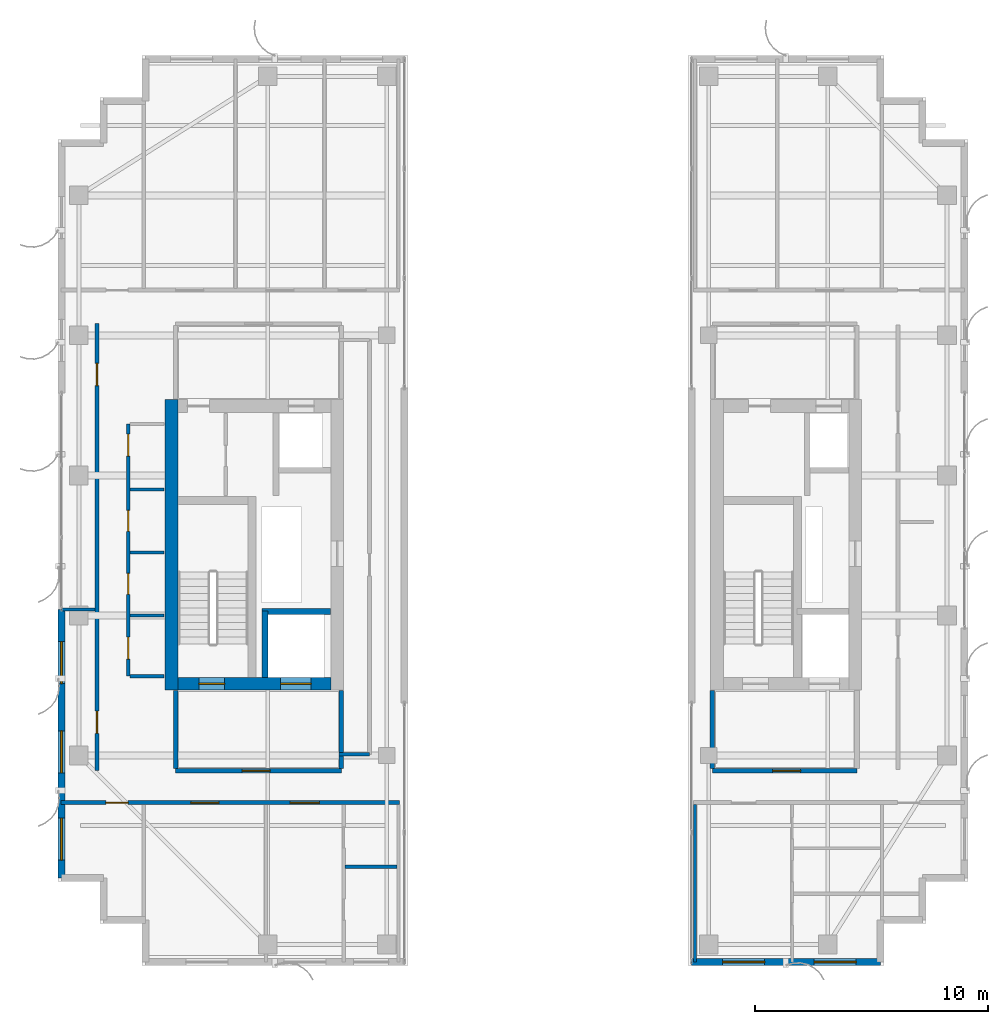
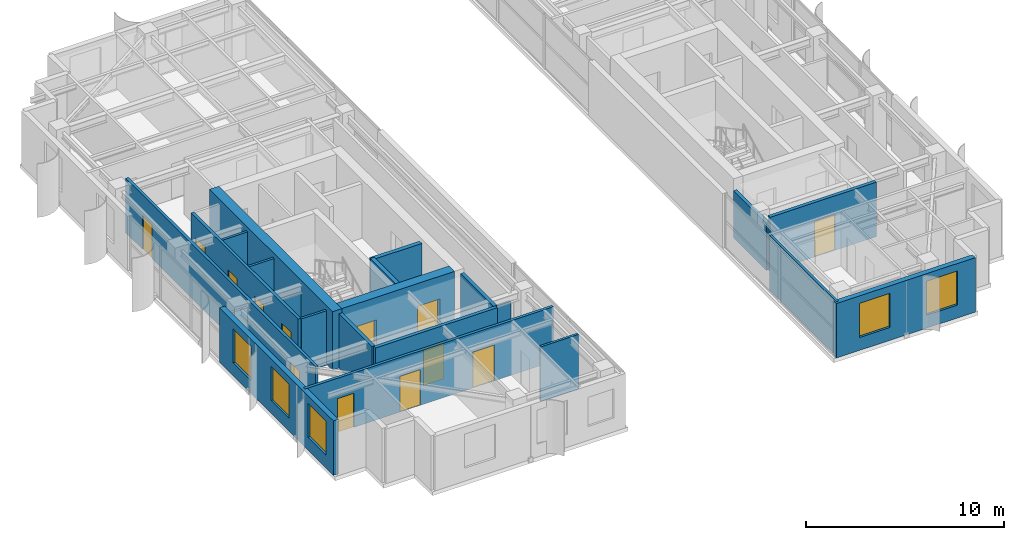
# One storey, part 18 of 24: 22 walls, 13 doors, 5 windows, 18 openings.
"""IFC4 building model written with IfcOpenShell, lengths in metres."""

from ifc_helpers import new_model, si_unit, direction, frame, frame_2d, origin, place, context, subcontext, project, spatial, rectangle, extrude, source, transform, mapped, material, layer, layer_set, type_object, element, fill, save


model = new_model("IFC4")

# Units and contexts
model_context = context("Model", 3, precision=1e-05, world=origin(), true_north=direction((0.0, 1.0)))
body_context = subcontext(model_context, "Body", "Model", "MODEL_VIEW")
ifc_project = project(units=[si_unit("LENGTHUNIT", "METRE"), si_unit("AREAUNIT", "SQUARE_METRE"), si_unit("VOLUMEUNIT", "CUBIC_METRE"), si_unit("PLANEANGLEUNIT", "RADIAN"), si_unit("MASSUNIT", "GRAM", prefix="KILO")], contexts=[model_context])

# Site, building, storey
site_placement = place(None, origin())
site = spatial("IfcSite", under=ifc_project, at=site_placement, CompositionType="ELEMENT")
building_placement = place(site_placement, origin())
building = spatial("IfcBuilding", under=site, at=building_placement, Name="Khoralis Quay Care Tower", CompositionType="ELEMENT")
storey_placement = place(building_placement, frame((0.0, 0.0, 238.5)))
storey = spatial("IfcBuildingStorey", under=building, at=storey_placement, Name="L62", CompositionType="ELEMENT", Elevation=238.5)

# Wall, opening, door
ifc_material_1 = material(Name="Gypsum plasterboard on acoustic metal stud")
ifc_layer_1 = layer(ifc_material_1, 0.199951171875)
ifc_layer_set_1 = layer_set([ifc_layer_1], Name="Gypsum plasterboard on acoustic metal stud")
wall_type_1 = type_object("IfcWallType", Name="WL-COMP-200", PredefinedType="PARTITIONING", material=ifc_layer_set_1)
wall_1_placement = place(storey_placement, frame((8.050048828125, 11.35009765625, 0.0), z_axis=(0.0, 0.0, 1.0), x_axis=(1.0, 0.0, 0.0)))
wall_1 = element("IfcWall", 1, at=wall_1_placement, inside=storey, type_object=wall_type_1, Name="L62 West Firefighting Lobby South Wall", PredefinedType="PARTITIONING", context=body_context, shape_type="SweptSolid", body=[
    extrude(rectangle(XDim=7.099853515625, YDim=0.199951171875, at=frame_2d((3.5498046875, 0.0))), origin(), (0.0, 0.0, 1.0), 3.360107421875),
])
opening_1_placement = place(wall_1_placement, frame((2.846435546875, 0.0, 0.0)))
opening_1 = element("IfcOpeningElement", 2, at=opening_1_placement, cuts=wall_1, Name="Opening FD1", PredefinedType="OPENING", context=body_context, shape_type="SweptSolid", body=[
    extrude(rectangle(XDim=1.199951171875, YDim=2.199951171875, at=frame_2d((0.60009765625, 1.10009765625))), frame((0.0, 0.10986328125, 0.0), z_axis=(0.0, -1.0, 0.0), x_axis=(1.0, 0.0, 0.0)), (0.0, 0.0, 1.0), 0.219970703125),
])
ifc_material_2 = material(Name="Fire-rated painted steel", Category="steel")
door_type_1 = type_object("IfcDoorType", Name="DR-FFL-1200X2200", OperationType="NOTDEFINED", PredefinedType="DOOR", material=ifc_material_2)
shared_shape_1 = source(origin(), body_context, "Body", "SweptSolid", [
    extrude(rectangle(XDim=1.199951171875, YDim=2.199951171875, at=frame_2d((0.60009765625, 1.10009765625))), frame((0.0, 0.02490234375, 0.0), z_axis=(0.0, -1.0, 0.0), x_axis=(1.0, 0.0, 0.0)), (0.0, 0.0, 1.0), 0.050048828125),
])
door_1_placement = place(opening_1_placement, origin())
door_1 = element("IfcDoor", 3, at=door_1_placement, inside=storey, type_object=door_type_1, Name="L62 West Firefighting Lobby Fire Door", OperationType="SINGLE_SWING_RIGHT", OverallHeight=2.199951171875, OverallWidth=1.199951171875, PredefinedType="DOOR", context=body_context, shape_type="MappedRepresentation", body=[
    mapped(shared_shape_1, transform((0.0, 0.0, 0.0), scale=1.0)),
])
fill(opening_1, door_1)

# Walls
for number, where, z_axis, x_axis, name in (
    (4, (8.050048828125, 11.445068359375, 0.0), (0.0, 0.0, 1.0), (0.0, 1.0, 0.0), "L62 West Firefighting Lobby West Wall"),
    (5, (15.14990234375, 11.445068359375, 0.0), (0.0, 0.0, 1.0), (0.0, 1.0, 0.0), "L62 West Firefighting Lobby East Wall"),
):
    element("IfcWall", number, at=place(storey_placement, frame(where, z_axis=z_axis, x_axis=x_axis)), inside=storey, type_object=wall_type_1, Name=name, PredefinedType="PARTITIONING", context=body_context, shape_type="SweptSolid", body=[
        extrude(rectangle(XDim=3.3349609375, YDim=0.199951171875, at=frame_2d((1.66748046875, 0.0))), origin(), (0.0, 0.0, 1.0), 3.360107421875),
    ])

# Wall, opening, door
wall_2_placement = place(storey_placement, frame((31.050048828125, 11.35009765625, 0.0), z_axis=(0.0, 0.0, 1.0), x_axis=(1.0, 0.0, 0.0)))
wall_2 = element("IfcWall", 6, at=wall_2_placement, inside=storey, type_object=wall_type_1, Name="L62 East Firefighting Lobby South Wall", PredefinedType="PARTITIONING", context=body_context, shape_type="SweptSolid", body=[
    extrude(rectangle(XDim=6.199951171875, YDim=0.199951171875, at=frame_2d((3.10009765625, 0.0))), origin(), (0.0, 0.0, 1.0), 3.360107421875),
])
opening_2_placement = place(wall_2_placement, frame((2.585693359375, 0.0, 0.0)))
opening_2 = element("IfcOpeningElement", 7, at=opening_2_placement, cuts=wall_2, Name="Opening FD1", PredefinedType="OPENING", context=body_context, shape_type="SweptSolid", body=[
    extrude(rectangle(XDim=1.199951171875, YDim=2.199951171875, at=frame_2d((0.60009765625, 1.10009765625))), frame((0.0, 0.10986328125, 0.0), z_axis=(0.0, -1.0, 0.0), x_axis=(1.0, 0.0, 0.0)), (0.0, 0.0, 1.0), 0.219970703125),
])
door_2_placement = place(opening_2_placement, origin())
door_2 = element("IfcDoor", 8, at=door_2_placement, inside=storey, type_object=door_type_1, Name="L62 East Firefighting Lobby Fire Door", OperationType="SINGLE_SWING_LEFT", OverallHeight=2.199951171875, OverallWidth=1.199951171875, PredefinedType="DOOR", context=body_context, shape_type="MappedRepresentation", body=[
    mapped(shared_shape_1, transform((0.0, 0.0, 0.0), scale=1.0)),
])
fill(opening_2, door_2)

# Walls
wall_3_placement = place(storey_placement, frame((31.050048828125, 11.445068359375, 0.0), z_axis=(0.0, 0.0, 1.0), x_axis=(0.0, 1.0, 0.0)))
element("IfcWall", 9, at=wall_3_placement, inside=storey, type_object=wall_type_1, Name="L62 East Firefighting Lobby West Wall", PredefinedType="PARTITIONING", context=body_context, shape_type="SweptSolid", body=[
    extrude(rectangle(XDim=3.3349609375, YDim=0.199951171875, at=frame_2d((1.66748046875, 0.0))), origin(), (0.0, 0.0, 1.0), 2.90087890625),
])
ifc_material_3 = material(Name="Concrete C65/80", Category="concrete")
ifc_layer_2 = layer(ifc_material_3, 0.550048828125)
ifc_layer_set_2 = layer_set([ifc_layer_2], Name="Concrete C65/80")
wall_type_2 = type_object("IfcWallType", Name="WL-CORE-550", PredefinedType="SHEAR", material=ifc_layer_set_2)
wall_4_placement = place(storey_placement, frame((7.875, 14.800048828125, 0.0), z_axis=(0.0, 0.0, 1.0), x_axis=(0.0, 1.0, 0.0)))
element("IfcWall", 10, at=wall_4_placement, inside=storey, type_object=wall_type_2, Name="L62 WCORE West Shear Wall", PredefinedType="SHEAR", context=body_context, shape_type="SweptSolid", body=[
    extrude(rectangle(XDim=12.449951171875, YDim=0.550048828125, at=frame_2d((6.22509765625, 0.0))), origin(), (0.0, 0.0, 1.0), 3.60009765625),
])

# Wall, openings, doors
wall_5_placement = place(storey_placement, frame((8.14990234375, 15.074951171875, 0.0), z_axis=(0.0, 0.0, 1.0), x_axis=(1.0, 0.0, 0.0)))
wall_5 = element("IfcWall", 11, at=wall_5_placement, inside=storey, type_object=wall_type_2, Name="L62 WCORE South Shear Wall", PredefinedType="SHEAR", context=body_context, shape_type="SweptSolid", body=[
    extrude(rectangle(XDim=6.550048828125, YDim=0.550048828125, at=frame_2d((3.27490234375, 0.0))), origin(), (0.0, 0.0, 1.0), 3.60009765625),
])
opening_3_placement = place(wall_5_placement, frame((0.89990234375, 0.0, 0.0)))
opening_3 = element("IfcOpeningElement", 12, at=opening_3_placement, cuts=wall_5, Name="Opening SD1", PredefinedType="OPENING", context=body_context, shape_type="SweptSolid", body=[
    extrude(rectangle(XDim=1.10009765625, YDim=2.199951171875, at=frame_2d((0.550048828125, 1.10009765625))), frame((0.0, 0.28515625, 0.0), z_axis=(0.0, -1.0, 0.0), x_axis=(1.0, 0.0, 0.0)), (0.0, 0.0, 1.0), 0.570068359375),
])
opening_4_placement = place(wall_5_placement, frame((4.39990234375, 0.0, 0.0)))
opening_4 = element("IfcOpeningElement", 13, at=opening_4_placement, cuts=wall_5, Name="Opening LD2", PredefinedType="OPENING", context=body_context, shape_type="SweptSolid", body=[
    extrude(rectangle(XDim=1.300048828125, YDim=2.199951171875, at=frame_2d((0.64990234375, 1.10009765625))), frame((0.0, 0.28515625, 0.0), z_axis=(0.0, -1.0, 0.0), x_axis=(1.0, 0.0, 0.0)), (0.0, 0.0, 1.0), 0.570068359375),
])
door_type_2 = type_object("IfcDoorType", Name="DR-STAIR-1100X2200", OperationType="NOTDEFINED", PredefinedType="DOOR", material=ifc_material_2)
shared_shape_2 = source(origin(), body_context, "Body", "SweptSolid", [
    extrude(rectangle(XDim=1.10009765625, YDim=2.199951171875, at=frame_2d((0.550048828125, 1.10009765625))), frame((0.0, 0.02490234375, 0.0), z_axis=(0.0, -1.0, 0.0), x_axis=(1.0, 0.0, 0.0)), (0.0, 0.0, 1.0), 0.050048828125),
])
door_3_placement = place(opening_3_placement, origin())
door_3 = element("IfcDoor", 14, at=door_3_placement, inside=storey, type_object=door_type_2, Name="L62 Stair ST-T1 Fire Door", OperationType="SINGLE_SWING_RIGHT", OverallHeight=2.199951171875, OverallWidth=1.10009765625, PredefinedType="DOOR", context=body_context, shape_type="MappedRepresentation", body=[
    mapped(shared_shape_2, transform((0.0, 0.0, 0.0), scale=1.0)),
])
fill(opening_3, door_3)
ifc_material_4 = material(Name="Brushed stainless steel", Category="steel")
door_type_3 = type_object("IfcDoorType", Name="DR-LIFT-1300X2200", OperationType="SLIDING_TO_RIGHT", PredefinedType="DOOR", material=ifc_material_4)
shared_shape_3 = source(origin(), body_context, "Body", "SweptSolid", [
    extrude(rectangle(XDim=1.300048828125, YDim=2.199951171875, at=frame_2d((0.64990234375, 1.10009765625))), frame((0.0, 0.02490234375, 0.0), z_axis=(0.0, -1.0, 0.0), x_axis=(1.0, 0.0, 0.0)), (0.0, 0.0, 1.0), 0.050048828125),
])
door_4_placement = place(opening_4_placement, origin())
door_4 = element("IfcDoor", 15, at=door_4_placement, inside=storey, type_object=door_type_3, Name="L62 Firefighting Lift FFL-1 Landing Door", OperationType="SLIDING_TO_RIGHT", OverallHeight=2.199951171875, OverallWidth=1.300048828125, PredefinedType="DOOR", context=body_context, shape_type="MappedRepresentation", body=[
    mapped(shared_shape_3, transform((0.0, 0.0, 0.0), scale=1.0)),
])
fill(opening_4, door_4)

ifc_layer_3 = layer(ifc_material_1, 0.1650390625)
ifc_layer_set_3 = layer_set([ifc_layer_3], Name="Gypsum plasterboard on acoustic metal stud")
wall_type_3 = type_object("IfcWallType", Name="WL-CORR-165", PredefinedType="PARTITIONING", material=ifc_layer_set_3)
wall_6_placement = place(storey_placement, frame((6.02001953125, 15.39990234375, 0.0), z_axis=(0.0, 0.0, 1.0), x_axis=(0.0, 1.0, 0.0)))
wall_6 = element("IfcWall", 16, at=wall_6_placement, inside=storey, type_object=wall_type_3, Name="L62 West Core Service Flank Wall", PredefinedType="PARTITIONING", context=body_context, shape_type="SweptSolid", body=[
    extrude(rectangle(XDim=10.800048828125, YDim=0.1650390625, at=frame_2d((5.39990234375, 0.0))), origin(), (0.0, 0.0, 1.0), 3.360107421875),
])
opening_5_placement = place(wall_6_placement, frame((0.72509765625, 0.0, 0.0)))
opening_5 = element("IfcOpeningElement", 17, at=opening_5_placement, cuts=wall_6, Name="Opening ID1", PredefinedType="OPENING", context=body_context, shape_type="SweptSolid", body=[
    extrude(rectangle(XDim=0.949951171875, YDim=2.10009765625, at=frame_2d((0.47509765625, 1.050048828125))), frame((0.0, 0.092529296875, 0.0), z_axis=(0.0, -1.0, 0.0), x_axis=(1.0, 0.0, 0.0)), (0.0, 0.0, 1.0), 0.18505859375),
])
opening_6_placement = place(wall_6_placement, frame((3.5, 0.0, 0.0)))
opening_6 = element("IfcOpeningElement", 18, at=opening_6_placement, cuts=wall_6, Name="Opening WD1", PredefinedType="OPENING", context=body_context, shape_type="SweptSolid", body=[
    extrude(rectangle(XDim=0.89990234375, YDim=2.10009765625, at=frame_2d((0.449951171875, 1.050048828125))), frame((0.0, 0.092529296875, 0.0), z_axis=(0.0, -1.0, 0.0), x_axis=(1.0, 0.0, 0.0)), (0.0, 0.0, 1.0), 0.18505859375),
])
opening_7_placement = place(wall_6_placement, frame((6.199951171875, 0.0, 0.0)))
opening_7 = element("IfcOpeningElement", 19, at=opening_7_placement, cuts=wall_6, Name="Opening WD1", PredefinedType="OPENING", context=body_context, shape_type="SweptSolid", body=[
    extrude(rectangle(XDim=0.89990234375, YDim=2.10009765625, at=frame_2d((0.449951171875, 1.050048828125))), frame((0.0, 0.092529296875, 0.0), z_axis=(0.0, -1.0, 0.0), x_axis=(1.0, 0.0, 0.0)), (0.0, 0.0, 1.0), 0.18505859375),
])
opening_8_placement = place(wall_6_placement, frame((9.425048828125, 0.0, 0.0)))
opening_8 = element("IfcOpeningElement", 20, at=opening_8_placement, cuts=wall_6, Name="Opening ID1", PredefinedType="OPENING", context=body_context, shape_type="SweptSolid", body=[
    extrude(rectangle(XDim=0.949951171875, YDim=2.10009765625, at=frame_2d((0.47509765625, 1.050048828125))), frame((0.0, 0.092529296875, 0.0), z_axis=(0.0, -1.0, 0.0), x_axis=(1.0, 0.0, 0.0)), (0.0, 0.0, 1.0), 0.18505859375),
])
ifc_material_5 = material(Name="Acoustic hardwood timber", Category="wood")
door_type_4 = type_object("IfcDoorType", Name="DR-BATH-900X2100", OperationType="NOTDEFINED", PredefinedType="DOOR", material=ifc_material_5)
shared_shape_4 = source(origin(), body_context, "Body", "SweptSolid", [
    extrude(rectangle(XDim=0.89990234375, YDim=2.10009765625, at=frame_2d((0.449951171875, 1.050048828125))), frame((0.0, 0.02490234375, 0.0), z_axis=(0.0, -1.0, 0.0), x_axis=(1.0, 0.0, 0.0)), (0.0, 0.0, 1.0), 0.050048828125),
])
door_5_placement = place(opening_6_placement, frame((0.89990234375, 0.0, 0.0), z_axis=(0.0, 0.0, 1.0), x_axis=(-1.0, 0.0, 0.0)))
door_5 = element("IfcDoor", 21, at=door_5_placement, inside=storey, type_object=door_type_4, Name="L62 Public Accessible WC Door", OperationType="SINGLE_SWING_RIGHT", OverallHeight=2.10009765625, OverallWidth=0.89990234375, PredefinedType="DOOR", context=body_context, shape_type="MappedRepresentation", body=[
    mapped(shared_shape_4, transform((0.0, 0.0, 0.0), scale=1.0)),
])
fill(opening_6, door_5)
door_6_placement = place(opening_7_placement, frame((0.89990234375, 0.0, 0.0), z_axis=(0.0, 0.0, 1.0), x_axis=(-1.0, 0.0, 0.0)))
door_6 = element("IfcDoor", 22, at=door_6_placement, inside=storey, type_object=door_type_4, Name="L62 Staff Accessible WC Door", OperationType="SINGLE_SWING_LEFT", OverallHeight=2.10009765625, OverallWidth=0.89990234375, PredefinedType="DOOR", context=body_context, shape_type="MappedRepresentation", body=[
    mapped(shared_shape_4, transform((0.0, 0.0, 0.0), scale=1.0)),
])
fill(opening_7, door_6)
door_type_5 = type_object("IfcDoorType", Name="DR-ROOM-950X2100", OperationType="NOTDEFINED", PredefinedType="DOOR", material=ifc_material_5)
shared_shape_5 = source(origin(), body_context, "Body", "SweptSolid", [
    extrude(rectangle(XDim=0.949951171875, YDim=2.10009765625, at=frame_2d((0.47509765625, 1.050048828125))), frame((0.0, 0.02490234375, 0.0), z_axis=(0.0, -1.0, 0.0), x_axis=(1.0, 0.0, 0.0)), (0.0, 0.0, 1.0), 0.050048828125),
])
door_7_placement = place(opening_5_placement, frame((0.949951171875, 0.0, 0.0), z_axis=(0.0, 0.0, 1.0), x_axis=(-1.0, 0.0, 0.0)))
door_7 = element("IfcDoor", 23, at=door_7_placement, inside=storey, type_object=door_type_5, Name="L62 Housekeeping Store Door", OperationType="SINGLE_SWING_LEFT", OverallHeight=2.10009765625, OverallWidth=0.949951171875, PredefinedType="DOOR", context=body_context, shape_type="MappedRepresentation", body=[
    mapped(shared_shape_5, transform((0.0, 0.0, 0.0), scale=1.0)),
])
fill(opening_5, door_7)
door_8_placement = place(opening_8_placement, frame((0.949951171875, 0.0, 0.0), z_axis=(0.0, 0.0, 1.0), x_axis=(-1.0, 0.0, 0.0)))
door_8 = element("IfcDoor", 24, at=door_8_placement, inside=storey, type_object=door_type_5, Name="L62 Telecom IDF Room Door", OperationType="SINGLE_SWING_RIGHT", OverallHeight=2.10009765625, OverallWidth=0.949951171875, PredefinedType="DOOR", context=body_context, shape_type="MappedRepresentation", body=[
    mapped(shared_shape_5, transform((0.0, 0.0, 0.0), scale=1.0)),
])
fill(opening_8, door_8)

wall_7_placement = place(storey_placement, frame((3.14501953125, 9.97998046875, 0.0), z_axis=(0.0, 0.0, 1.0), x_axis=(1.0, 0.0, 0.0)))
wall_7 = element("IfcWall", 25, at=wall_7_placement, inside=storey, type_object=wall_type_3, Name="L62 West Wing South Corridor Wall", PredefinedType="PARTITIONING", context=body_context, shape_type="SweptSolid", body=[
    extrude(rectangle(XDim=14.5048828125, YDim=0.1650390625, at=frame_2d((7.25244140625, 0.0))), origin(), (0.0, 0.0, 1.0), 3.360107421875),
])
opening_9_placement = place(wall_7_placement, frame((5.554931640625, 0.0, 0.0)))
opening_9 = element("IfcOpeningElement", 26, at=opening_9_placement, cuts=wall_7, Name="Opening FD1", PredefinedType="OPENING", context=body_context, shape_type="SweptSolid", body=[
    extrude(rectangle(XDim=1.199951171875, YDim=2.199951171875, at=frame_2d((0.60009765625, 1.10009765625))), frame((0.0, 0.092529296875, 0.0), z_axis=(0.0, -1.0, 0.0), x_axis=(1.0, 0.0, 0.0)), (0.0, 0.0, 1.0), 0.18505859375),
])
opening_10_placement = place(wall_7_placement, frame((9.81494140625, 0.0, 0.0)))
opening_10 = element("IfcOpeningElement", 27, at=opening_10_placement, cuts=wall_7, Name="Opening CD1", PredefinedType="OPENING", context=body_context, shape_type="SweptSolid", body=[
    extrude(rectangle(XDim=1.25, YDim=2.199951171875, at=frame_2d((0.625, 1.10009765625))), frame((0.0, 0.092529296875, 0.0), z_axis=(0.0, -1.0, 0.0), x_axis=(1.0, 0.0, 0.0)), (0.0, 0.0, 1.0), 0.18505859375),
])
opening_11_placement = place(wall_7_placement, frame((1.919921875, 0.0, 0.0)))
opening_11 = element("IfcOpeningElement", 28, at=opening_11_placement, cuts=wall_7, Name="Opening ID1", PredefinedType="OPENING", context=body_context, shape_type="SweptSolid", body=[
    extrude(rectangle(XDim=0.949951171875, YDim=2.10009765625, at=frame_2d((0.47509765625, 1.050048828125))), frame((0.0, 0.092529296875, 0.0), z_axis=(0.0, -1.0, 0.0), x_axis=(1.0, 0.0, 0.0)), (0.0, 0.0, 1.0), 0.18505859375),
])
door_9_placement = place(opening_9_placement, frame((1.199951171875, 0.0, 0.0), z_axis=(0.0, 0.0, 1.0), x_axis=(-1.0, 0.0, 0.0)))
door_9 = element("IfcDoor", 29, at=door_9_placement, inside=storey, type_object=door_type_1, Name="L62 Resident Communal Day Lounge Door", OperationType="DOUBLE_DOOR_SINGLE_SWING", OverallHeight=2.199951171875, OverallWidth=1.199951171875, PredefinedType="DOOR", context=body_context, shape_type="MappedRepresentation", body=[
    mapped(shared_shape_1, transform((0.0, 0.0, 0.0), scale=1.0)),
])
fill(opening_9, door_9)
door_type_6 = type_object("IfcDoorType", Name="DR-CARE-1250X2200", OperationType="NOTDEFINED", PredefinedType="DOOR", material=ifc_material_5)
shared_shape_6 = source(origin(), body_context, "Body", "SweptSolid", [
    extrude(rectangle(XDim=1.25, YDim=2.199951171875, at=frame_2d((0.625, 1.10009765625))), frame((0.0, 0.02490234375, 0.0), z_axis=(0.0, -1.0, 0.0), x_axis=(1.0, 0.0, 0.0)), (0.0, 0.0, 1.0), 0.050048828125),
])
door_10_placement = place(opening_10_placement, frame((1.25, 0.0, 0.0), z_axis=(0.0, 0.0, 1.0), x_axis=(-1.0, 0.0, 0.0)))
door_10 = element("IfcDoor", 30, at=door_10_placement, inside=storey, type_object=door_type_6, Name="L62 Care Suite WS1 Clinical Door", OperationType="SINGLE_SWING_RIGHT", OverallHeight=2.199951171875, OverallWidth=1.25, PredefinedType="DOOR", context=body_context, shape_type="MappedRepresentation", body=[
    mapped(shared_shape_6, transform((0.0, 0.0, 0.0), scale=1.0)),
])
fill(opening_10, door_10)
door_11_placement = place(opening_11_placement, frame((0.949951171875, 0.0, 0.0), z_axis=(0.0, 0.0, 1.0), x_axis=(-1.0, 0.0, 0.0)))
door_11 = element("IfcDoor", 31, at=door_11_placement, inside=storey, type_object=door_type_5, Name="L62 SW Corner Door", OperationType="SINGLE_SWING_LEFT", OverallHeight=2.10009765625, OverallWidth=0.949951171875, PredefinedType="DOOR", context=body_context, shape_type="MappedRepresentation", body=[
    mapped(shared_shape_5, transform((0.0, 0.0, 0.0), scale=1.0)),
])
fill(opening_11, door_11)

wall_8_placement = place(storey_placement, frame((4.679931640625, 11.35009765625, 0.0), z_axis=(0.0, 0.0, 1.0), x_axis=(0.0, 1.0, 0.0)))
wall_8 = element("IfcWall", 32, at=wall_8_placement, inside=storey, type_object=wall_type_3, Name="L62 West Mid South Entry Wall", PredefinedType="PARTITIONING", context=body_context, shape_type="SweptSolid", body=[
    extrude(rectangle(XDim=19.14990234375, YDim=0.1650390625, at=frame_2d((9.574951171875, 0.0))), origin(), (0.0, 0.0, 1.0), 3.360107421875),
])
opening_12_placement = place(wall_8_placement, frame((1.60009765625, 0.0, 0.0)))
opening_12 = element("IfcOpeningElement", 33, at=opening_12_placement, cuts=wall_8, Name="Opening ID1", PredefinedType="OPENING", context=body_context, shape_type="SweptSolid", body=[
    extrude(rectangle(XDim=0.949951171875, YDim=2.10009765625, at=frame_2d((0.47509765625, 1.050048828125))), frame((0.0, 0.092529296875, 0.0), z_axis=(0.0, -1.0, 0.0), x_axis=(1.0, 0.0, 0.0)), (0.0, 0.0, 1.0), 0.18505859375),
])
opening_13_placement = place(wall_8_placement, frame((16.5, 0.0, 0.0)))
opening_13 = element("IfcOpeningElement", 34, at=opening_13_placement, cuts=wall_8, Name="Opening ID1", PredefinedType="OPENING", context=body_context, shape_type="SweptSolid", body=[
    extrude(rectangle(XDim=0.949951171875, YDim=2.10009765625, at=frame_2d((0.47509765625, 1.050048828125))), frame((0.0, 0.092529296875, 0.0), z_axis=(0.0, -1.0, 0.0), x_axis=(1.0, 0.0, 0.0)), (0.0, 0.0, 1.0), 0.18505859375),
])
door_12_placement = place(opening_12_placement, frame((0.949951171875, 0.0, 0.0), z_axis=(0.0, 0.0, 1.0), x_axis=(-1.0, 0.0, 0.0)))
door_12 = element("IfcDoor", 35, at=door_12_placement, inside=storey, type_object=door_type_5, Name="L62 West Daylight Care Bedroom Door", OperationType="SINGLE_SWING_LEFT", OverallHeight=2.10009765625, OverallWidth=0.949951171875, PredefinedType="DOOR", context=body_context, shape_type="MappedRepresentation", body=[
    mapped(shared_shape_5, transform((0.0, 0.0, 0.0), scale=1.0)),
])
fill(opening_12, door_12)
door_13_placement = place(opening_13_placement, frame((0.949951171875, 0.0, 0.0), z_axis=(0.0, 0.0, 1.0), x_axis=(-1.0, 0.0, 0.0)))
door_13 = element("IfcDoor", 36, at=door_13_placement, inside=storey, type_object=door_type_5, Name="L62 West Resident Day Lounge Door", OperationType="SINGLE_SWING_RIGHT", OverallHeight=2.10009765625, OverallWidth=0.949951171875, PredefinedType="DOOR", context=body_context, shape_type="MappedRepresentation", body=[
    mapped(shared_shape_5, transform((0.0, 0.0, 0.0), scale=1.0)),
])
fill(opening_13, door_13)

# Wall, openings, windows
ifc_material_6 = material(Name="Precast concrete C45/55", Category="concrete")
ifc_layer_4 = layer(ifc_material_6, 0.300048828125)
ifc_layer_set_4 = layer_set([ifc_layer_4], Name="Precast concrete C45/55")
wall_type_4 = type_object("IfcWallType", Name="WL-EXT-REF-300", PredefinedType="SOLIDWALL", material=ifc_layer_set_4)
wall_9_placement = place(storey_placement, frame((3.14990234375, 18.25, 0.0), z_axis=(0.0, 0.0, 1.0), x_axis=(0.0, -1.0, 0.0)))
wall_9 = element("IfcWall", 37, at=wall_9_placement, inside=storey, type_object=wall_type_4, Name="L62 External Facade Wall WL-EXT-L62-P1-E7B", PredefinedType="SOLIDWALL", context=body_context, shape_type="SweptSolid", body=[
    extrude(rectangle(XDim=11.5, YDim=0.300048828125, at=frame_2d((5.75, 0.0))), origin(), (0.0, 0.0, 1.0), 3.360107421875),
])
opening_14_placement = place(wall_9_placement, frame((1.37255859375, 0.0, 0.800048828125)))
opening_14 = element("IfcOpeningElement", 38, at=opening_14_placement, cuts=wall_9, Name="Opening W2", PredefinedType="OPENING", context=body_context, shape_type="SweptSolid", body=[
    extrude(rectangle(XDim=1.800048828125, YDim=2.10009765625, at=frame_2d((0.89990234375, 1.050048828125))), frame((0.0, 0.16015625, 0.0), z_axis=(0.0, -1.0, 0.0), x_axis=(1.0, 0.0, 0.0)), (0.0, 0.0, 1.0), 0.320068359375),
])
opening_15_placement = place(wall_9_placement, frame((5.197509765625, 0.0, 0.800048828125)))
opening_15 = element("IfcOpeningElement", 39, at=opening_15_placement, cuts=wall_9, Name="Opening W2", PredefinedType="OPENING", context=body_context, shape_type="SweptSolid", body=[
    extrude(rectangle(XDim=1.800048828125, YDim=2.10009765625, at=frame_2d((0.89990234375, 1.050048828125))), frame((0.0, 0.16015625, 0.0), z_axis=(0.0, -1.0, 0.0), x_axis=(1.0, 0.0, 0.0)), (0.0, 0.0, 1.0), 0.320068359375),
])
opening_16_placement = place(wall_9_placement, frame((8.93505859375, 0.0, 0.800048828125)))
opening_16 = element("IfcOpeningElement", 40, at=opening_16_placement, cuts=wall_9, Name="Opening W2", PredefinedType="OPENING", context=body_context, shape_type="SweptSolid", body=[
    extrude(rectangle(XDim=1.800048828125, YDim=2.10009765625, at=frame_2d((0.89990234375, 1.050048828125))), frame((0.0, 0.16015625, 0.0), z_axis=(0.0, -1.0, 0.0), x_axis=(1.0, 0.0, 0.0)), (0.0, 0.0, 1.0), 0.320068359375),
])
ifc_material_7 = material(Name="Low-E solar-control double glazing", Category="glass")
window_type = type_object("IfcWindowType", Name="WN-POD-1800X2100", PartitioningType="SINGLE_PANEL", PredefinedType="WINDOW", material=ifc_material_7)
shared_shape_7 = source(origin(), body_context, "Body", "SweptSolid", [
    extrude(rectangle(XDim=1.800048828125, YDim=2.10009765625, at=frame_2d((0.89990234375, 1.050048828125))), frame((0.0, 0.030029296875, 0.0), z_axis=(0.0, -1.0, 0.0), x_axis=(1.0, 0.0, 0.0)), (0.0, 0.0, 1.0), 0.06005859375),
])
window_1_placement = place(opening_14_placement, origin())
window_1 = element("IfcWindow", 41, at=window_1_placement, inside=storey, type_object=window_type, Name="WN-L62-P1-E7B Facade Window 01", OverallHeight=2.10009765625, OverallWidth=1.800048828125, PartitioningType="SINGLE_PANEL", PredefinedType="WINDOW", context=body_context, shape_type="MappedRepresentation", body=[
    mapped(shared_shape_7, transform((0.0, 0.0, 0.0), scale=1.0)),
])
fill(opening_14, window_1)
window_2_placement = place(opening_15_placement, origin())
window_2 = element("IfcWindow", 42, at=window_2_placement, inside=storey, type_object=window_type, Name="WN-L62-P1-E7B Facade Window 02", OverallHeight=2.10009765625, OverallWidth=1.800048828125, PartitioningType="SINGLE_PANEL", PredefinedType="WINDOW", context=body_context, shape_type="MappedRepresentation", body=[
    mapped(shared_shape_7, transform((0.0, 0.0, 0.0), scale=1.0)),
])
fill(opening_15, window_2)
window_3_placement = place(opening_16_placement, origin())
window_3 = element("IfcWindow", 43, at=window_3_placement, inside=storey, type_object=window_type, Name="WN-L62-P1-E7B Facade Window 03", OverallHeight=2.10009765625, OverallWidth=1.800048828125, PartitioningType="SINGLE_PANEL", PredefinedType="WINDOW", context=body_context, shape_type="MappedRepresentation", body=[
    mapped(shared_shape_7, transform((0.0, 0.0, 0.0), scale=1.0)),
])
fill(opening_16, window_3)

wall_10_placement = place(storey_placement, frame((30.14990234375, 3.14990234375, 0.0), z_axis=(0.0, 0.0, 1.0), x_axis=(1.0, 0.0, 0.0)))
wall_10 = element("IfcWall", 44, at=wall_10_placement, inside=storey, type_object=wall_type_4, Name="L62 External Facade Wall WL-EXT-L62-P2-E0", PredefinedType="SOLIDWALL", context=body_context, shape_type="SweptSolid", body=[
    extrude(rectangle(XDim=8.10009765625, YDim=0.300048828125, at=frame_2d((4.050048828125, 0.0))), origin(), (0.0, 0.0, 1.0), 3.360107421875),
])
opening_17_placement = place(wall_10_placement, frame((1.3349609375, 0.0, 0.800048828125)))
opening_17 = element("IfcOpeningElement", 45, at=opening_17_placement, cuts=wall_10, Name="Opening W2", PredefinedType="OPENING", context=body_context, shape_type="SweptSolid", body=[
    extrude(rectangle(XDim=1.800048828125, YDim=2.10009765625, at=frame_2d((0.89990234375, 1.050048828125))), frame((0.0, 0.16015625, 0.0), z_axis=(0.0, -1.0, 0.0), x_axis=(1.0, 0.0, 0.0)), (0.0, 0.0, 1.0), 0.320068359375),
])
opening_18_placement = place(wall_10_placement, frame((5.260009765625, 0.0, 0.800048828125)))
opening_18 = element("IfcOpeningElement", 46, at=opening_18_placement, cuts=wall_10, Name="Opening W2", PredefinedType="OPENING", context=body_context, shape_type="SweptSolid", body=[
    extrude(rectangle(XDim=1.800048828125, YDim=2.10009765625, at=frame_2d((0.89990234375, 1.050048828125))), frame((0.0, 0.16015625, 0.0), z_axis=(0.0, -1.0, 0.0), x_axis=(1.0, 0.0, 0.0)), (0.0, 0.0, 1.0), 0.320068359375),
])
window_4_placement = place(opening_17_placement, origin())
window_4 = element("IfcWindow", 47, at=window_4_placement, inside=storey, type_object=window_type, Name="WN-L62-P2-E0 Facade Window 01", OverallHeight=2.10009765625, OverallWidth=1.800048828125, PartitioningType="SINGLE_PANEL", PredefinedType="WINDOW", context=body_context, shape_type="MappedRepresentation", body=[
    mapped(shared_shape_7, transform((0.0, 0.0, 0.0), scale=1.0)),
])
fill(opening_17, window_4)
window_5_placement = place(opening_18_placement, origin())
window_5 = element("IfcWindow", 48, at=window_5_placement, inside=storey, type_object=window_type, Name="WN-L62-P2-E0 Facade Window 02", OverallHeight=2.10009765625, OverallWidth=1.800048828125, PartitioningType="SINGLE_PANEL", PredefinedType="WINDOW", context=body_context, shape_type="MappedRepresentation", body=[
    mapped(shared_shape_7, transform((0.0, 0.0, 0.0), scale=1.0)),
])
fill(opening_18, window_5)

# Walls
ifc_material_8 = material(Name="Moisture-resistant gypsum and ceramic tile")
ifc_layer_5 = layer(ifc_material_8, 0.280029296875)
ifc_layer_set_5 = layer_set([ifc_layer_5], Name="Moisture-resistant gypsum and ceramic tile")
wall_type_5 = type_object("IfcWallType", Name="WL-PLUMB-280", PredefinedType="PLUMBINGWALL", material=ifc_layer_set_5)
wall_11_placement = place(storey_placement, frame((6.097412109375, 18.0, 0.0), z_axis=(0.0, 0.0, 1.0), x_axis=(1.0, 0.0, 0.0)))
element("IfcWall", 49, at=wall_11_placement, inside=storey, type_object=wall_type_5, Name="L62 West Flank Divider 1", PredefinedType="PLUMBINGWALL", context=body_context, shape_type="SweptSolid", body=[
    extrude(rectangle(XDim=1.462646484375, YDim=0.139892578125, at=frame_2d((0.7314453125, 0.0))), origin(), (0.0, 0.0, 1.0), 2.860107421875),
])
wall_12_placement = place(storey_placement, frame((6.097412109375, 20.699951171875, 0.0), z_axis=(0.0, 0.0, 1.0), x_axis=(1.0, 0.0, 0.0)))
element("IfcWall", 50, at=wall_12_placement, inside=storey, type_object=wall_type_5, Name="L62 West Flank Divider 2", PredefinedType="PLUMBINGWALL", context=body_context, shape_type="SweptSolid", body=[
    extrude(rectangle(XDim=1.462646484375, YDim=0.139892578125, at=frame_2d((0.7314453125, 0.0))), origin(), (0.0, 0.0, 1.0), 3.360107421875),
])
wall_13_placement = place(storey_placement, frame((15.31494140625, 7.22998046875, 0.0), z_axis=(0.0, 0.0, 1.0), x_axis=(1.0, 0.0, 0.0)))
element("IfcWall", 51, at=wall_13_placement, inside=storey, type_object=wall_type_5, Name="L62 Care Suite 1 En-Suite Wall H", PredefinedType="PLUMBINGWALL", context=body_context, shape_type="SweptSolid", body=[
    extrude(rectangle(XDim=2.219970703125, YDim=0.139892578125, at=frame_2d((1.10986328125, 0.0))), origin(), (0.0, 0.0, 1.0), 3.360107421875),
])
ifc_layer_6 = layer(ifc_material_1, 0.239990234375)
ifc_layer_set_6 = layer_set([ifc_layer_6], Name="Gypsum plasterboard on acoustic metal stud")
wall_type_6 = type_object("IfcWallType", Name="WL-SHAFT-240", PredefinedType="PARTITIONING", material=ifc_layer_set_6)
wall_14_placement = place(storey_placement, frame((11.8798828125, 15.35009765625, 0.0), z_axis=(0.0, 0.0, 1.0), x_axis=(0.0, 1.0, 0.0)))
element("IfcWall", 52, at=wall_14_placement, inside=storey, type_object=wall_type_6, Name="L62 FFL-1 Shaft Wall West", PredefinedType="PARTITIONING", context=body_context, shape_type="SweptSolid", body=[
    extrude(rectangle(XDim=2.849853515625, YDim=0.239990234375, at=frame_2d((1.4248046875, 0.0))), origin(), (0.0, 0.0, 1.0), 3.360107421875),
])
wall_15_placement = place(storey_placement, frame((11.760009765625, 18.169921875, 0.0), z_axis=(0.0, 0.0, 1.0), x_axis=(1.0, 0.0, 0.0)))
element("IfcWall", 53, at=wall_15_placement, inside=storey, type_object=wall_type_6, Name="L62 FFL-1 Shaft Wall North", PredefinedType="PARTITIONING", context=body_context, shape_type="SweptSolid", body=[
    extrude(rectangle(XDim=2.919921875, YDim=0.239990234375, at=frame_2d((1.4599609375, 0.0))), origin(), (0.0, 0.0, 1.0), 3.360107421875),
])
ifc_layer_7 = layer(ifc_material_1, 0.139892578125)
ifc_layer_set_7 = layer_set([ifc_layer_7], Name="Gypsum plasterboard on acoustic metal stud")
wall_type_7 = type_object("IfcWallType", Name="WL-UNIT-140", PredefinedType="PARTITIONING", material=ifc_layer_set_7)
for number, where, z_axis, x_axis, name in (
    (54, (6.097412109375, 15.39990234375, 0.0), (0.0, 0.0, 1.0), (1.0, 0.0, 0.0), "L62 West Flank South Cap"),
    (55, (6.097412109375, 23.39990234375, 0.0), (0.0, 0.0, 1.0), (1.0, 0.0, 0.0), "L62 West Flank Divider 3"),
):
    element("IfcWall", number, at=place(storey_placement, frame(where, z_axis=z_axis, x_axis=x_axis)), inside=storey, type_object=wall_type_7, Name=name, PredefinedType="PARTITIONING", context=body_context, shape_type="SweptSolid", body=[
        extrude(rectangle(XDim=1.462646484375, YDim=0.139892578125, at=frame_2d((0.7314453125, 0.0))), origin(), (0.0, 0.0, 1.0), 3.360107421875),
    ])
wall_16_placement = place(storey_placement, frame((3.14501953125, 18.25, 0.0), z_axis=(0.0, 0.0, 1.0), x_axis=(1.0, 0.0, 0.0)))
element("IfcWall", 56, at=wall_16_placement, inside=storey, type_object=wall_type_7, Name="L62 West Mid Split", PredefinedType="PARTITIONING", context=body_context, shape_type="SweptSolid", body=[
    extrude(rectangle(XDim=1.45751953125, YDim=0.139892578125, at=frame_2d((0.728759765625, 0.0))), origin(), (0.0, 0.0, 1.0), 2.860107421875),
])
wall_17_placement = place(storey_placement, frame((30.300048828125, 3.14501953125, 0.0), z_axis=(0.0, 0.0, 1.0), x_axis=(0.0, 1.0, 0.0)))
element("IfcWall", 57, at=wall_17_placement, inside=storey, type_object=wall_type_7, Name="L62 ES Demising Wall 0", PredefinedType="PARTITIONING", context=body_context, shape_type="SweptSolid", body=[
    extrude(rectangle(XDim=6.757568359375, YDim=0.139892578125, at=frame_2d((3.37890625, 0.0))), origin(), (0.0, 0.0, 1.0), 3.360107421875),
])
wall_18_placement = place(storey_placement, frame((15.050048828125, 12.050048828125, 0.0), z_axis=(0.0, 0.0, 1.0), x_axis=(1.0, 0.0, 0.0)))
element("IfcWall", 58, at=wall_18_placement, inside=storey, type_object=wall_type_7, Name="L62 Portal Alcove South Wall", PredefinedType="PARTITIONING", context=body_context, shape_type="SweptSolid", body=[
    extrude(rectangle(XDim=1.31005859375, YDim=0.139892578125, at=frame_2d((0.655029296875, 0.0))), origin(), (0.0, 0.0, 1.0), 2.860107421875),
])

save(model, "model.ifc")
